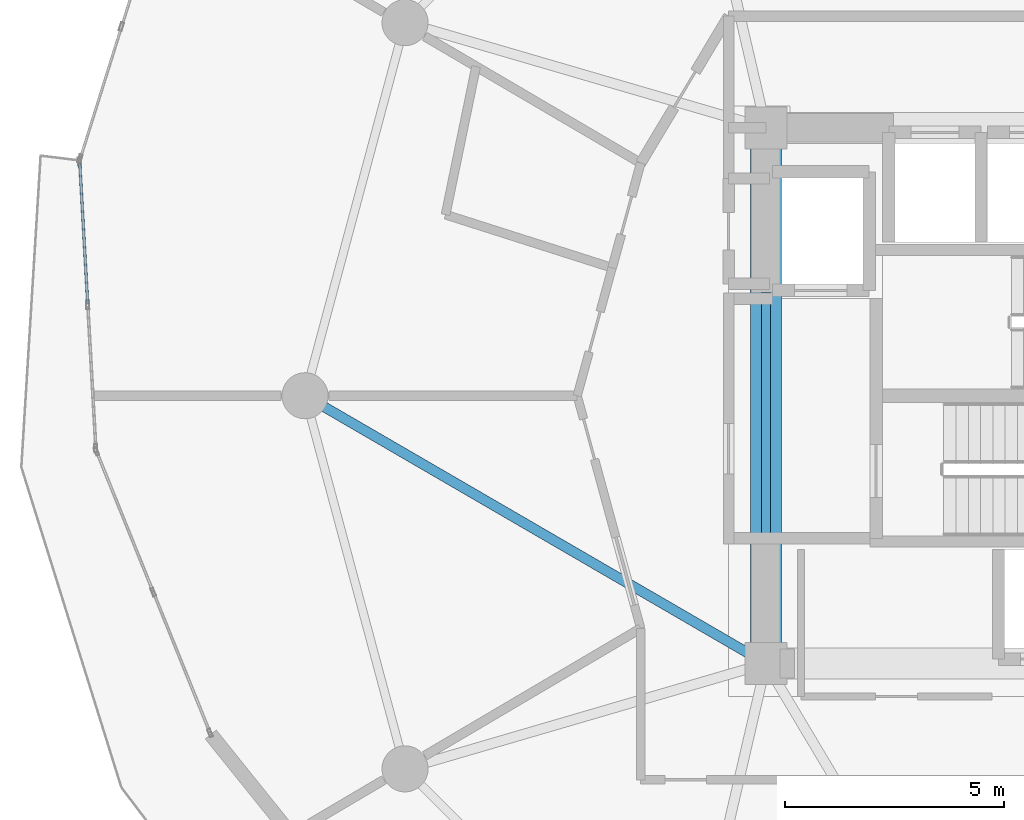
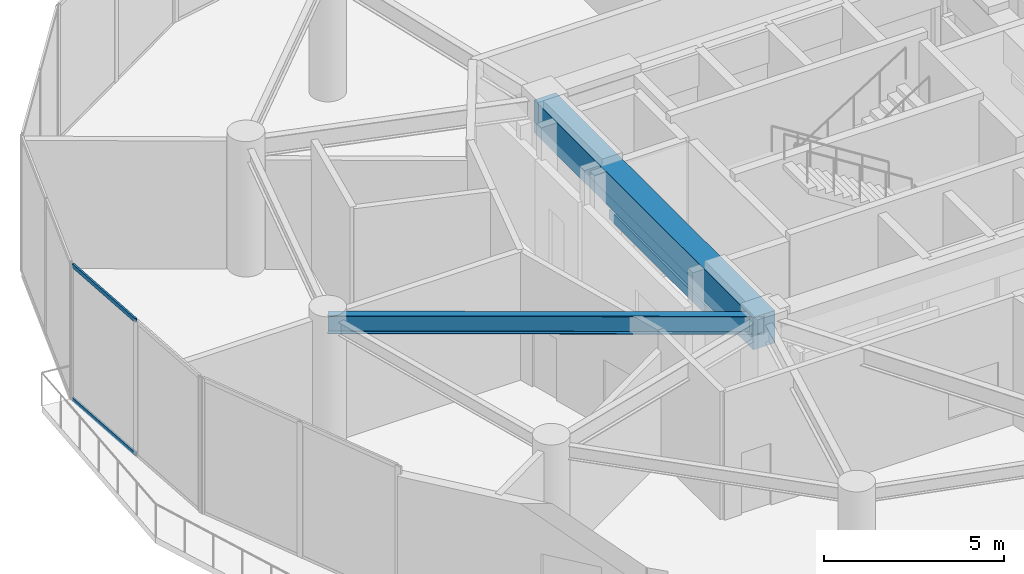
# One storey, part 8 of 28: 3 beams, 2 members, 1 element without a shape of its own.
"""IFC4 building model written with IfcOpenShell, lengths in metres."""

from ifc_helpers import new_model, si_unit, direction, frame, origin, origin_2d, place, context, subcontext, project, spatial, rectangle, hollow_rectangle, i_section, extrude, source, transform, mapped, material, layer, layer_set, material_profile, profile_set, type_object, element, aggregate, save


model = new_model("IFC4")

# Units and contexts
model_context = context("Model", 3, precision=1e-05, world=origin(), true_north=direction((0.0, 1.0)))
body_context = subcontext(model_context, "Body", "Model", "MODEL_VIEW")
ifc_project = project(units=[si_unit("LENGTHUNIT", "METRE"), si_unit("AREAUNIT", "SQUARE_METRE"), si_unit("VOLUMEUNIT", "CUBIC_METRE"), si_unit("PLANEANGLEUNIT", "RADIAN"), si_unit("MASSUNIT", "GRAM", prefix="KILO")], contexts=[model_context])

# Site, building, storey
site_placement = place(None, origin())
site = spatial("IfcSite", under=ifc_project, at=site_placement, CompositionType="ELEMENT")
building_placement = place(site_placement, origin())
building = spatial("IfcBuilding", under=site, at=building_placement, Name="Solvirekh Grand Hotel", CompositionType="ELEMENT")
storey_placement = place(building_placement, frame((0.0, 0.0, 98.0)))
storey = spatial("IfcBuildingStorey", under=building, at=storey_placement, Name="L24", CompositionType="ELEMENT", Elevation=98.0)

# Beams
ifc_material_1 = material(Name="Concrete C60/75", Category="concrete")
ifc_material_profile_1 = material_profile(ifc_material_1, rectangle(XDim=0.699951171875, YDim=1.10009765625, at=origin_2d()), Name="RC BEAM 700X1100")
ifc_profile_set_1 = profile_set([ifc_material_profile_1], Name="Concrete C60/75")
beam_type_1 = type_object("IfcBeamType", Name="Beam_Core_RC1100", PredefinedType="BEAM", material=ifc_profile_set_1)
beam_1_placement = place(storey_placement, frame((-6.5, 6.10009765625, 3.800048828125), z_axis=(0.0, -1.0, 0.0), x_axis=(1.0, 0.0, 0.0)))
element("IfcBeam", 1, at=beam_1_placement, inside=storey, type_object=beam_type_1, Name="L24 core coupling ring beam 4", PredefinedType="BEAM", context=body_context, shape_type="SweptSolid", body=[
    extrude(rectangle(XDim=0.699951171875, YDim=1.10009765625, at=origin_2d()), origin(), (0.0, 0.0, 1.0), 12.2001953125),
])
ifc_material_2 = material(Name="Steel S355", Category="steel")
ifc_material_profile_2 = material_profile(ifc_material_2, i_section(OverallWidth=0.22802734375, OverallDepth=0.616943359375, WebThickness=0.012939453125, FlangeThickness=0.02001953125, FilletRadius=0.014892578125, at=origin_2d()), Name="W610X140")
ifc_profile_set_2 = profile_set([ifc_material_profile_2], Name="Steel S355")
beam_type_2 = type_object("IfcBeamType", Name="Beam_Radial_W610", PredefinedType="BEAM", material=ifc_profile_set_2)
beam_2_placement = place(storey_placement, frame((-6.5, -6.10009765625, 4.041015625), z_axis=(-0.864670076815, 0.50234018181, 0.0), x_axis=(-0.50234018181, -0.864670076815, 0.0)))
element("IfcBeam", 2, at=beam_2_placement, inside=storey, type_object=beam_type_2, Name="L24 radial floor beam R07", PredefinedType="BEAM", context=body_context, shape_type="SweptSolid", body=[
    extrude(i_section(OverallWidth=0.22802734375, OverallDepth=0.616943359375, WebThickness=0.012939453125, FlangeThickness=0.02001953125, FilletRadius=0.014892578125, at=origin_2d()), origin(), (0.0, 0.0, 1.0), 12.143310546875),
])
ifc_material_3 = material(Name="Precast concrete C45/55", Category="concrete")
ifc_material_profile_3 = material_profile(ifc_material_3, rectangle(XDim=0.199951171875, YDim=0.320068359375, at=origin_2d()), Name="RC LINTEL 200X320")
ifc_profile_set_3 = profile_set([ifc_material_profile_3], Name="Precast concrete C45/55")
beam_type_3 = type_object("IfcBeamType", Name="Lintel_RC320", PredefinedType="LINTEL", material=ifc_profile_set_3)
beam_3_placement = place(storey_placement, frame((-6.5, -3.35009765625, 2.64990234375), z_axis=(0.0, 1.0, 0.0), x_axis=(-1.0, 0.0, 0.0)))
element("IfcBeam", 3, at=beam_3_placement, inside=storey, type_object=beam_type_3, Name="L24 west core lobby RC lintel", PredefinedType="LINTEL", context=body_context, shape_type="SweptSolid", body=[
    extrude(rectangle(XDim=0.199951171875, YDim=0.320068359375, at=origin_2d()), origin(), (0.0, 0.0, 1.0), 5.7001953125),
])

# Curtain wall, members
ifc_material_4 = material(Name="Anodized Bronze Aluminium 6063-T6", Category="aluminium")
ifc_layer = layer(ifc_material_4, 0.18994140625)
ifc_layer_set = layer_set([ifc_layer], Name="Anodized Bronze Aluminium 6063-T6")
curtain_wall_type = type_object("IfcCurtainWallType", Name="CW_Sys5_SkyLobbyPanoramaCW", PredefinedType="NOTDEFINED", material=ifc_layer_set)
curtain_wall_placement = place(storey_placement, origin())
curtain_wall = element("IfcCurtainWall", 4, at=curtain_wall_placement, inside=storey, type_object=curtain_wall_type, Name="L24 unitised bronze-glass curtain wall CW-L24-C12", PredefinedType="NOTDEFINED")
ifc_material_profile_4 = material_profile(ifc_material_4, hollow_rectangle(XDim=0.06005859375, YDim=0.135009765625, WallThickness=0.00390625, at=origin_2d()), Name="ALU RHS 135X60X4")
ifc_profile_set_4 = profile_set([ifc_material_profile_4], Name="Anodized Bronze Aluminium 6063-T6")
member_type = type_object("IfcMemberType", Name="CWTransom_Sys5", PredefinedType="USERDEFINED", material=ifc_profile_set_4)
shared_shape = source(origin(), body_context, "Body", "SweptSolid", [
    extrude(hollow_rectangle(XDim=0.06005859375, YDim=0.135009765625, WallThickness=0.00390625, at=origin_2d()), origin(), (0.0, 0.0, 1.0), 3.201416015625),
])
member_1_placement = place(storey_placement, frame((-22.132080078125, 5.297119140625, 0.030029296875), z_axis=(0.056280953908, -0.998414970955, 0.0), x_axis=(0.998414970955, 0.056280953908, 0.0)))
member_1 = element("IfcMember", 5, at=member_1_placement, type_object=member_type, Name="U05 transom 1.1", ObjectType="TRANSOM", PredefinedType="USERDEFINED", context=body_context, shape_type="MappedRepresentation", body=[
    mapped(shared_shape, transform((0.0, 0.0, 0.0), x_axis=(1.0, 0.0, 0.0), y_axis=(0.0, 1.0, 0.0), z_axis=(0.0, 0.0, 1.0), scale=1.0)),
])
member_2_placement = place(storey_placement, frame((-22.132080078125, 5.297119140625, 4.570068359375), z_axis=(0.056280953908, -0.998414970955, 0.0), x_axis=(0.998414970955, 0.056280953908, 0.0)))
member_2 = element("IfcMember", 6, at=member_2_placement, type_object=member_type, Name="U05 transom 1.2", ObjectType="TRANSOM", PredefinedType="USERDEFINED", context=body_context, shape_type="MappedRepresentation", body=[
    mapped(shared_shape, transform((0.0, 0.0, 0.0), x_axis=(1.0, 0.0, 0.0), y_axis=(0.0, 1.0, 0.0), z_axis=(0.0, 0.0, 1.0), scale=1.0)),
])
aggregate(curtain_wall, [member_1, member_2])

save(model, "model.ifc")
